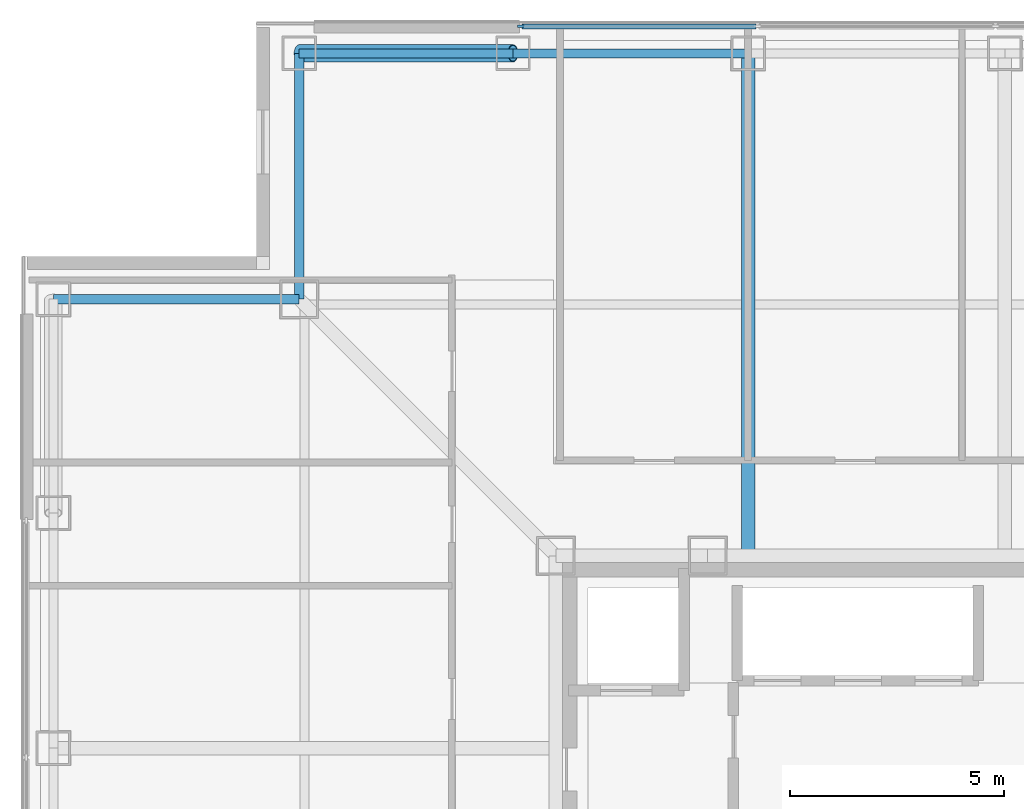
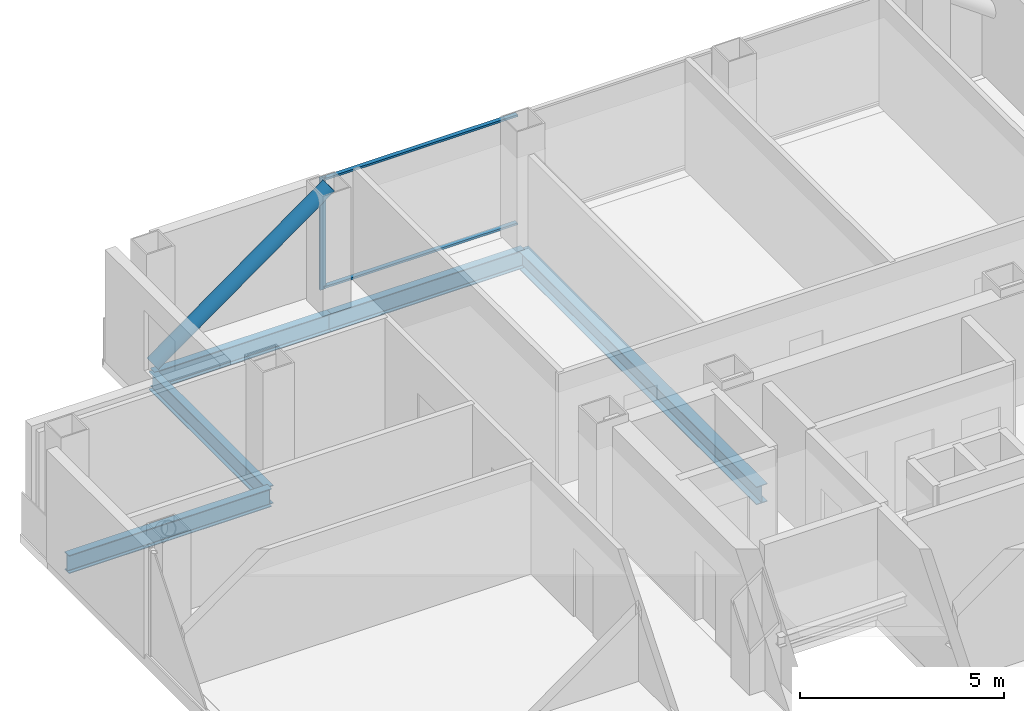
# One storey, part 7 of 17: 5 beams, 4 members, 1 element without a shape of its own.
"""IFC4 building model written with IfcOpenShell, lengths in metres."""

from ifc_helpers import new_model, si_unit, direction, frame, origin, origin_2d, place, context, subcontext, project, spatial, rectangle, hollow_circle, i_section, extrude, material, layer, layer_set, material_profile, profile_set, type_object, element, aggregate, save


model = new_model("IFC4")

# Units and contexts
model_context = context("Model", 3, precision=1e-05, world=origin(), true_north=direction((0.0, 1.0)))
body_context = subcontext(model_context, "Body", "Model", "MODEL_VIEW")
ifc_project = project(units=[si_unit("LENGTHUNIT", "METRE"), si_unit("AREAUNIT", "SQUARE_METRE"), si_unit("VOLUMEUNIT", "CUBIC_METRE"), si_unit("PLANEANGLEUNIT", "RADIAN"), si_unit("MASSUNIT", "GRAM", prefix="KILO")], contexts=[model_context])

# Site, building, storey
site_placement = place(None, origin())
site = spatial("IfcSite", under=ifc_project, at=site_placement, CompositionType="ELEMENT")
building_placement = place(site_placement, origin())
building = spatial("IfcBuilding", under=site, at=building_placement, Name="Trevonay Congress Spire", CompositionType="ELEMENT")
storey_placement = place(building_placement, frame((0.0, 0.0, 169.800048828125)))
storey = spatial("IfcBuildingStorey", under=building, at=storey_placement, Name="L43", CompositionType="ELEMENT", Elevation=169.800048828125)

# Beams
ifc_material_1 = material(Name="Steel ASTM A572 Grade 50", Category="steel")
ifc_material_profile_1 = material_profile(ifc_material_1, i_section(OverallWidth=0.31201171875, OverallDepth=0.54296875, WebThickness=0.0126953125, FlangeThickness=0.020263671875, FilletRadius=0.014892578125, at=origin_2d()), Name="W530x150")
ifc_profile_set_1 = profile_set([ifc_material_profile_1], Name="Steel ASTM A572 Grade 50")
beam_type_1 = type_object("IfcBeamType", Name="BM-GIRD-W530X150", PredefinedType="BEAM", material=ifc_profile_set_1)
beam_1_placement = place(storey_placement, frame((-3.0, 7.5, -0.511474609375), z_axis=(0.0, 1.0, 0.0), x_axis=(-1.0, 0.0, 0.0)))
element("IfcBeam", 1, at=beam_1_placement, inside=storey, type_object=beam_type_1, Name="L43 structural beam BM-L43-GN-M", PredefinedType="BEAM", context=body_context, shape_type="SweptSolid", body=[
    extrude(i_section(OverallWidth=0.31201171875, OverallDepth=0.54296875, WebThickness=0.0126953125, FlangeThickness=0.020263671875, FilletRadius=0.014892578125, at=origin_2d()), origin(), (0.0, 0.0, 1.0), 11.75),
])
ifc_material_profile_2 = material_profile(ifc_material_1, i_section(OverallWidth=0.2119140625, OverallDepth=0.5439453125, WebThickness=0.01318359375, FlangeThickness=0.021240234375, FilletRadius=0.014892578125, at=origin_2d()), Name="W530x123")
ifc_profile_set_2 = profile_set([ifc_material_profile_2], Name="Steel ASTM A572 Grade 50")
beam_type_2 = type_object("IfcBeamType", Name="BM-RING-W530X123", PredefinedType="BEAM", material=ifc_profile_set_2)
beam_2_placement = place(storey_placement, frame((-13.5, 19.25, -0.511962890625), z_axis=(1.0, 0.0, 0.0), x_axis=(0.0, 1.0, 0.0)))
element("IfcBeam", 2, at=beam_2_placement, inside=storey, type_object=beam_type_2, Name="L43 structural beam BM-L43-PN1", PredefinedType="BEAM", context=body_context, shape_type="SweptSolid", body=[
    extrude(i_section(OverallWidth=0.2119140625, OverallDepth=0.5439453125, WebThickness=0.01318359375, FlangeThickness=0.021240234375, FilletRadius=0.014892578125, at=origin_2d()), origin(), (0.0, 0.0, 1.0), 5.0),
])
beam_3_placement = place(storey_placement, frame((-8.5, 19.25, -0.511962890625), z_axis=(1.0, 0.0, 0.0), x_axis=(0.0, 1.0, 0.0)))
element("IfcBeam", 3, at=beam_3_placement, inside=storey, type_object=beam_type_2, Name="L43 structural beam BM-L43-PN2", PredefinedType="BEAM", context=body_context, shape_type="SweptSolid", body=[
    extrude(i_section(OverallWidth=0.2119140625, OverallDepth=0.5439453125, WebThickness=0.01318359375, FlangeThickness=0.021240234375, FilletRadius=0.014892578125, at=origin_2d()), origin(), (0.0, 0.0, 1.0), 5.5),
])
for number, where, z_axis, x_axis, name in (
    (4, (-13.5, 19.25, -0.511962890625), (0.0, -1.0, 0.0), (1.0, 0.0, 0.0), "L43 structural beam BM-L43-N1NW"),
    (5, (-19.25, 13.5, -0.511962890625), (1.0, 0.0, 0.0), (0.0, 1.0, 0.0), "L43 structural beam BM-L43-N2NW"),
):
    element("IfcBeam", number, at=place(storey_placement, frame(where, z_axis=z_axis, x_axis=x_axis)), inside=storey, type_object=beam_type_2, Name=name, PredefinedType="BEAM", context=body_context, shape_type="SweptSolid", body=[
        extrude(i_section(OverallWidth=0.2119140625, OverallDepth=0.5439453125, WebThickness=0.01318359375, FlangeThickness=0.021240234375, FilletRadius=0.014892578125, at=origin_2d()), origin(), (0.0, 0.0, 1.0), 5.75),
    ])

# Curtain wall, members
ifc_material_2 = material(Name="Pale Anodised Aluminium EN AW-6063-T6", Category="aluminium")
ifc_layer = layer(ifc_material_2, 0.169921875, Name="Pale Anodised Aluminium EN AW-6063-T6")
ifc_layer_set = layer_set([ifc_layer], Name="Pale Anodised Aluminium EN AW-6063-T6")
curtain_wall_type = type_object("IfcCurtainWallType", Name="CW-SYS04-CORP-PALE-METAL", PredefinedType="NOTDEFINED", material=ifc_layer_set)
curtain_wall_placement = place(storey_placement, origin())
curtain_wall = element("IfcCurtainWall", 6, at=curtain_wall_placement, inside=storey, type_object=curtain_wall_type, Name="L43 N unitised curtain wall", PredefinedType="NOTDEFINED")
ifc_material_profile_3 = material_profile(ifc_material_2, rectangle(XDim=0.06005859375, YDim=0.159912109375, at=origin_2d()), Name="CW-MULLION-160-ALUMINIUM")
ifc_profile_set_3 = profile_set([ifc_material_profile_3], Name="Pale Anodised Aluminium EN AW-6063-T6")
member_type_1 = type_object("IfcMemberType", Name="CW-MULLION-160-ALUMINIUM", PredefinedType="MULLION", material=ifc_profile_set_3)
member_1_placement = place(storey_placement, frame((-8.320068359375, 19.8798828125, 0.0), z_axis=(0.0, 0.0, 1.0), x_axis=(0.0, 1.0, 0.0)))
member_1 = element("IfcMember", 7, at=member_1_placement, type_object=member_type_1, Name="CW04 mullion 1", PredefinedType="MULLION", context=body_context, shape_type="SweptSolid", body=[
    extrude(rectangle(XDim=0.06005859375, YDim=0.159912109375, at=origin_2d()), origin(), (0.0, 0.0, 1.0), 3.35986328125),
])
ifc_material_profile_4 = material_profile(ifc_material_2, rectangle(XDim=0.1201171875, YDim=0.06005859375, at=origin_2d()), Name="CW-TRANSOM-120-ALUMINIUM")
ifc_profile_set_4 = profile_set([ifc_material_profile_4], Name="Pale Anodised Aluminium EN AW-6063-T6")
member_type_2 = type_object("IfcMemberType", Name="CW-TRANSOM-120-ALUMINIUM", PredefinedType="USERDEFINED", material=ifc_profile_set_4)
member_2_placement = place(storey_placement, frame((-8.2900390625, 19.8798828125, 0.06005859375), z_axis=(1.0, 0.0, 0.0), x_axis=(0.0, 1.0, 0.0)))
member_2 = element("IfcMember", 8, at=member_2_placement, type_object=member_type_2, Name="CW04 transom 1.1", ObjectType="TRANSOM", PredefinedType="USERDEFINED", context=body_context, shape_type="SweptSolid", body=[
    extrude(rectangle(XDim=0.1201171875, YDim=0.06005859375, at=origin_2d()), origin(), (0.0, 0.0, 1.0), 5.476806640625),
])
member_3_placement = place(storey_placement, frame((-8.2900390625, 19.8798828125, 3.300048828125), z_axis=(1.0, 0.0, 0.0), x_axis=(0.0, 1.0, 0.0)))
member_3 = element("IfcMember", 9, at=member_3_placement, type_object=member_type_2, Name="CW04 transom 1.2", ObjectType="TRANSOM", PredefinedType="USERDEFINED", context=body_context, shape_type="SweptSolid", body=[
    extrude(rectangle(XDim=0.1201171875, YDim=0.06005859375, at=origin_2d()), origin(), (0.0, 0.0, 1.0), 5.476806640625),
])
aggregate(curtain_wall, [member_1, member_2, member_3])

# Member
ifc_material_3 = material(Name="Steel ASTM A500 Grade C", Category="steel")
ifc_material_profile_5 = material_profile(ifc_material_3, hollow_circle(Radius=0.203125, WallThickness=0.02001953125, at=origin_2d()), Name="CHS 406.4x20")
ifc_profile_set_5 = profile_set([ifc_material_profile_5], Name="Steel ASTM A500 Grade C")
member_type_3 = type_object("IfcMemberType", Name="MBR-TUBE-CHS406", PredefinedType="BRACE", material=ifc_profile_set_5)
member_4_placement = place(storey_placement, frame((-13.5, 19.25, -0.050048828125), z_axis=(0.811526825515, 0.0, 0.584315164504), x_axis=(0.0, 1.0, 0.0)))
element("IfcMember", 10, at=member_4_placement, inside=storey, type_object=member_type_3, Name="L43 perimeter braced-tube diagonal N0", PredefinedType="BRACE", context=body_context, shape_type="SweptSolid", body=[
    extrude(hollow_circle(Radius=0.203125, WallThickness=0.02001953125, at=origin_2d()), origin(), (0.0, 0.0, 1.0), 6.1611328125),
])

save(model, "model.ifc")
